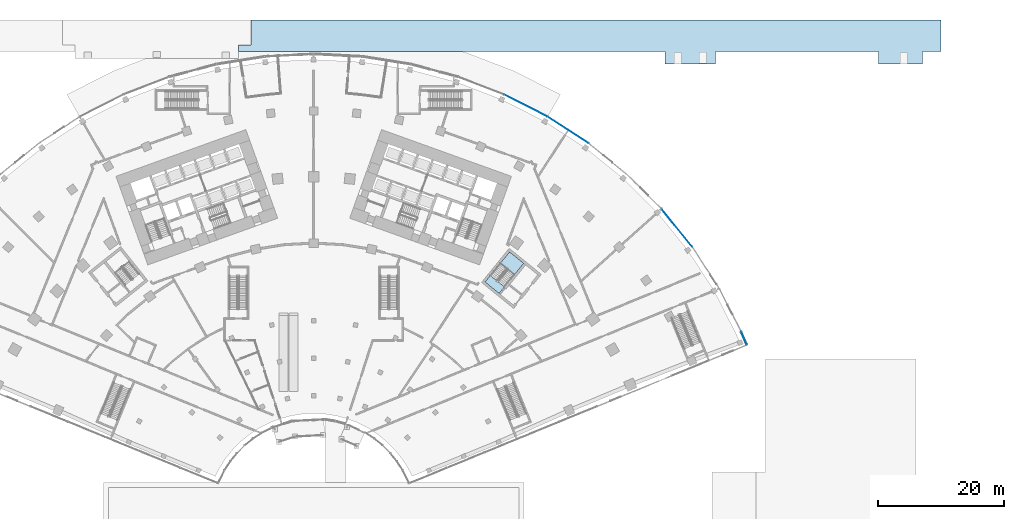
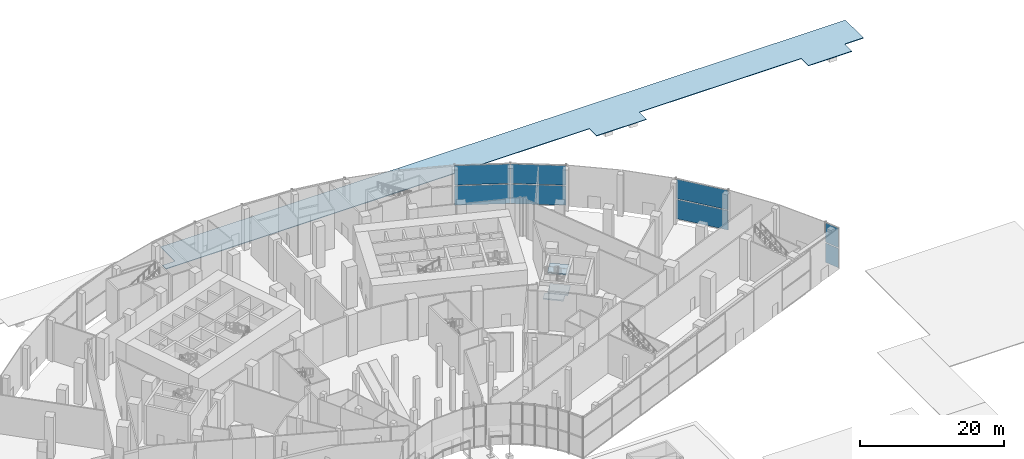
# One storey, part 22 of 60: 8 plates, 4 slabs, 2 elements without a shape of their own.
"""IFC4 building model written with IfcOpenShell, lengths in metres."""

from ifc_helpers import new_model, si_unit, direction, frame, origin, origin_2d, place, context, subcontext, project, spatial, polyline, rectangle, outline, extrude, material, layer, layer_set, type_object, element, aggregate, save


model = new_model("IFC4")

# Units and contexts
model_context = context("Model", 3, precision=1e-05, world=origin(), true_north=direction((0.0, 1.0)))
body_context = subcontext(model_context, "Body", "Model", "MODEL_VIEW")
ifc_project = project(units=[si_unit("LENGTHUNIT", "METRE"), si_unit("AREAUNIT", "SQUARE_METRE"), si_unit("VOLUMEUNIT", "CUBIC_METRE"), si_unit("PLANEANGLEUNIT", "RADIAN"), si_unit("MASSUNIT", "GRAM", prefix="KILO")], contexts=[model_context])

# Site, building, storey
site_placement = place(None, origin())
site = spatial("IfcSite", under=ifc_project, at=site_placement, CompositionType="ELEMENT")
building_placement = place(site_placement, origin())
building = spatial("IfcBuilding", under=site, at=building_placement, Name="Stone Belt Terrace Tower", CompositionType="ELEMENT")
storey_placement = place(building_placement, origin())
storey = spatial("IfcBuildingStorey", under=building, at=storey_placement, Name="L00", CompositionType="ELEMENT", Elevation=0.0)

# Curtain wall, plates
ifc_material_1 = material(Name="Aluminium 6063-T6 anodised frame", Category="aluminium")
ifc_layer_1 = layer(ifc_material_1, 0.14990234375)
ifc_layer_set_1 = layer_set([ifc_layer_1], Name="CW-D podium shopfront")
curtain_wall_type = type_object("IfcCurtainWallType", Name="CW-D podium shopfront", PredefinedType="NOTDEFINED", material=ifc_layer_set_1)
curtain_wall_placement = place(storey_placement, origin())
curtain_wall = element("IfcCurtainWall", 1, at=curtain_wall_placement, inside=storey, type_object=curtain_wall_type, Name="CW-D convex face L00", PredefinedType="NOTDEFINED")
ifc_material_2 = material(Name="Clear double glazed unit")
ifc_layer_2 = layer(ifc_material_2, 0.031982421875)
ifc_layer_set_2 = layer_set([ifc_layer_2], Name="CW-D glass panel 32")
plate_type = type_object("IfcPlateType", Name="CW-D glass panel 32", PredefinedType="CURTAIN_PANEL", material=ifc_layer_set_2)
plate_1_placement = place(storey_placement, frame((68.572021484375, 29.292724609375, 0.139892578125), z_axis=(0.0, 0.0, 1.0), x_axis=(-0.393033792222, 0.919524028056, 0.0)))
plate_1 = element("IfcPlate", 2, at=plate_1_placement, type_object=plate_type, Name="CW-D panel 1.1", PredefinedType="CURTAIN_PANEL", context=body_context, shape_type="SweptSolid", body=[
    extrude(rectangle(XDim=2.19921875, YDim=0.031982421875, at=origin_2d()), origin(), (0.0, 0.0, 1.0), 3.2900390625),
])
plate_2_placement = place(storey_placement, frame((68.572021484375, 29.292724609375, 3.570068359375), z_axis=(0.0, 0.0, 1.0), x_axis=(-0.393033792222, 0.919524028056, 0.0)))
plate_2 = element("IfcPlate", 3, at=plate_2_placement, type_object=plate_type, Name="CW-D panel 1.2", PredefinedType="CURTAIN_PANEL", context=body_context, shape_type="SweptSolid", body=[
    extrude(rectangle(XDim=2.19921875, YDim=0.031982421875, at=origin_2d()), origin(), (0.0, 0.0, 1.0), 3.2900390625),
])
plate_3_placement = place(storey_placement, frame((57.876220703125, 46.867431640625, 0.139892578125), z_axis=(0.0, 0.0, 1.0), x_axis=(-0.62932039105, 0.777145961457, 0.0)))
plate_3 = element("IfcPlate", 4, at=plate_3_placement, type_object=plate_type, Name="CW-D panel 4.1", PredefinedType="CURTAIN_PANEL", context=body_context, shape_type="SweptSolid", body=[
    extrude(rectangle(XDim=7.738037109375, YDim=0.031982421875, at=origin_2d()), origin(), (0.0, 0.0, 1.0), 3.2900390625),
])
plate_4_placement = place(storey_placement, frame((57.876220703125, 46.867431640625, 3.570068359375), z_axis=(0.0, 0.0, 1.0), x_axis=(-0.62932039105, 0.777145961457, 0.0)))
plate_4 = element("IfcPlate", 5, at=plate_4_placement, type_object=plate_type, Name="CW-D panel 4.2", PredefinedType="CURTAIN_PANEL", context=body_context, shape_type="SweptSolid", body=[
    extrude(rectangle(XDim=7.738037109375, YDim=0.031982421875, at=origin_2d()), origin(), (0.0, 0.0, 1.0), 3.2900390625),
])
plate_5_placement = place(storey_placement, frame((40.560791015625, 62.458251953125, 0.139892578125), z_axis=(0.0, 0.0, 1.0), x_axis=(-0.838670567945, 0.544639035015, 0.0)))
plate_5 = element("IfcPlate", 6, at=plate_5_placement, type_object=plate_type, Name="CW-D panel 7.1", PredefinedType="CURTAIN_PANEL", context=body_context, shape_type="SweptSolid", body=[
    extrude(rectangle(XDim=7.738037109375, YDim=0.031982421875, at=origin_2d()), origin(), (0.0, 0.0, 1.0), 3.2900390625),
])
plate_6_placement = place(storey_placement, frame((40.560791015625, 62.458251953125, 3.570068359375), z_axis=(0.0, 0.0, 1.0), x_axis=(-0.838670567945, 0.544639035015, 0.0)))
plate_6 = element("IfcPlate", 7, at=plate_6_placement, type_object=plate_type, Name="CW-D panel 7.2", PredefinedType="CURTAIN_PANEL", context=body_context, shape_type="SweptSolid", body=[
    extrude(rectangle(XDim=7.738037109375, YDim=0.031982421875, at=origin_2d()), origin(), (0.0, 0.0, 1.0), 3.2900390625),
])
plate_7_placement = place(storey_placement, frame((33.81005859375, 66.35595703125, 0.139892578125), z_axis=(0.0, 0.0, 1.0), x_axis=(-0.891006524188, 0.45399049974, 0.0)))
plate_7 = element("IfcPlate", 8, at=plate_7_placement, type_object=plate_type, Name="CW-D panel 8.1", PredefinedType="CURTAIN_PANEL", context=body_context, shape_type="SweptSolid", body=[
    extrude(rectangle(XDim=7.738037109375, YDim=0.031982421875, at=origin_2d()), origin(), (0.0, 0.0, 1.0), 3.2900390625),
])
plate_8_placement = place(storey_placement, frame((33.81005859375, 66.35595703125, 3.570068359375), z_axis=(0.0, 0.0, 1.0), x_axis=(-0.891006524188, 0.45399049974, 0.0)))
plate_8 = element("IfcPlate", 9, at=plate_8_placement, type_object=plate_type, Name="CW-D panel 8.2", PredefinedType="CURTAIN_PANEL", context=body_context, shape_type="SweptSolid", body=[
    extrude(rectangle(XDim=7.738037109375, YDim=0.031982421875, at=origin_2d()), origin(), (0.0, 0.0, 1.0), 3.2900390625),
])
aggregate(curtain_wall, [plate_1, plate_2, plate_3, plate_4, plate_5, plate_6, plate_7, plate_8])

# Slab
ifc_material_3 = material(Name="Granite paving", Category="masonry")
ifc_layer_3 = layer(ifc_material_3, 0.10009765625)
ifc_layer_set_3 = layer_set([ifc_layer_3], Name="Frontage paving slab 100")
slab_type_1 = type_object("IfcSlabType", Name="Frontage paving slab 100", PredefinedType="USERDEFINED", material=ifc_layer_set_3)
slab_1_placement = place(storey_placement, frame((0.0, 0.0, -0.10009765625)))
element("IfcSlab", 10, at=slab_1_placement, inside=storey, type_object=slab_type_1, Name="North street frontage pavement", ObjectType="PAVING", PredefinedType="USERDEFINED", context=body_context, shape_type="SweptSolid", body=[
    extrude(outline(polyline([(56.0, 73.0), (64.0, 73.0), (64.0, 75.0), (90.0, 75.0), (90.0, 73.0), (97.0, 73.0), (97.0, 75.0), (100.0, 75.0), (100.0, 80.0), (-10.0, 80.0), (-10.0, 76.0), (-12.0, 76.0), (-12.0, 75.0), (56.0, 75.0), (56.0, 73.0)])), origin(), (0.0, 0.0, 1.0), 0.10009765625),
])

# Stair, slabs
ifc_material_4 = material(Name="Concrete B40", Category="concrete")
stair_type = type_object("IfcStairType", Name="Exit stair 1500", PredefinedType="HALF_TURN_STAIR", material=ifc_material_4)
stair_placement = place(storey_placement, origin())
stair = element("IfcStair", 11, at=stair_placement, inside=storey, type_object=stair_type, Name="L00 Exit stair 3B", PredefinedType="HALF_TURN_STAIR")
ifc_layer_4 = layer(ifc_material_4, 0.199951171875)
ifc_layer_set_4 = layer_set([ifc_layer_4], Name="Stair landing 200")
slab_type_2 = type_object("IfcSlabType", Name="Stair landing 200", PredefinedType="LANDING", material=ifc_layer_set_4)
slab_2_placement = place(storey_placement, frame((0.0, 0.0, 1.550048828125)))
slab_2 = element("IfcSlab", 12, at=slab_2_placement, type_object=slab_type_2, Name="ST3B landing 1", PredefinedType="LANDING", context=body_context, shape_type="SweptSolid", body=[
    extrude(outline(polyline([(31.9951171875, 39.418701171875), (33.4638671875, 41.228271484375), (31.21240234375, 43.055908203125), (29.743408203125, 41.246337890625), (31.9951171875, 39.418701171875)])), origin(), (0.0, 0.0, 1.0), 0.199951171875),
])
slab_3_placement = place(storey_placement, frame((0.0, 0.0, 3.300048828125)))
slab_3 = element("IfcSlab", 13, at=slab_3_placement, type_object=slab_type_2, Name="ST3B landing 2", PredefinedType="LANDING", context=body_context, shape_type="SweptSolid", body=[
    extrude(outline(polyline([(29.556640625, 36.41455078125), (30.407958984375, 37.46337890625), (28.15625, 39.290771484375), (27.304931640625, 38.2421875), (29.556640625, 36.41455078125)])), origin(), (0.0, 0.0, 1.0), 0.199951171875),
])
slab_4_placement = place(storey_placement, frame((0.0, 0.0, 5.050048828125)))
slab_4 = element("IfcSlab", 14, at=slab_4_placement, type_object=slab_type_2, Name="ST3B landing 3", PredefinedType="LANDING", context=body_context, shape_type="SweptSolid", body=[
    extrude(outline(polyline([(31.9951171875, 39.418701171875), (33.4638671875, 41.228271484375), (31.21240234375, 43.055908203125), (29.743408203125, 41.246337890625), (31.9951171875, 39.418701171875)])), origin(), (0.0, 0.0, 1.0), 0.199951171875),
])
aggregate(stair, [slab_2, slab_3, slab_4])

save(model, "model.ifc")
